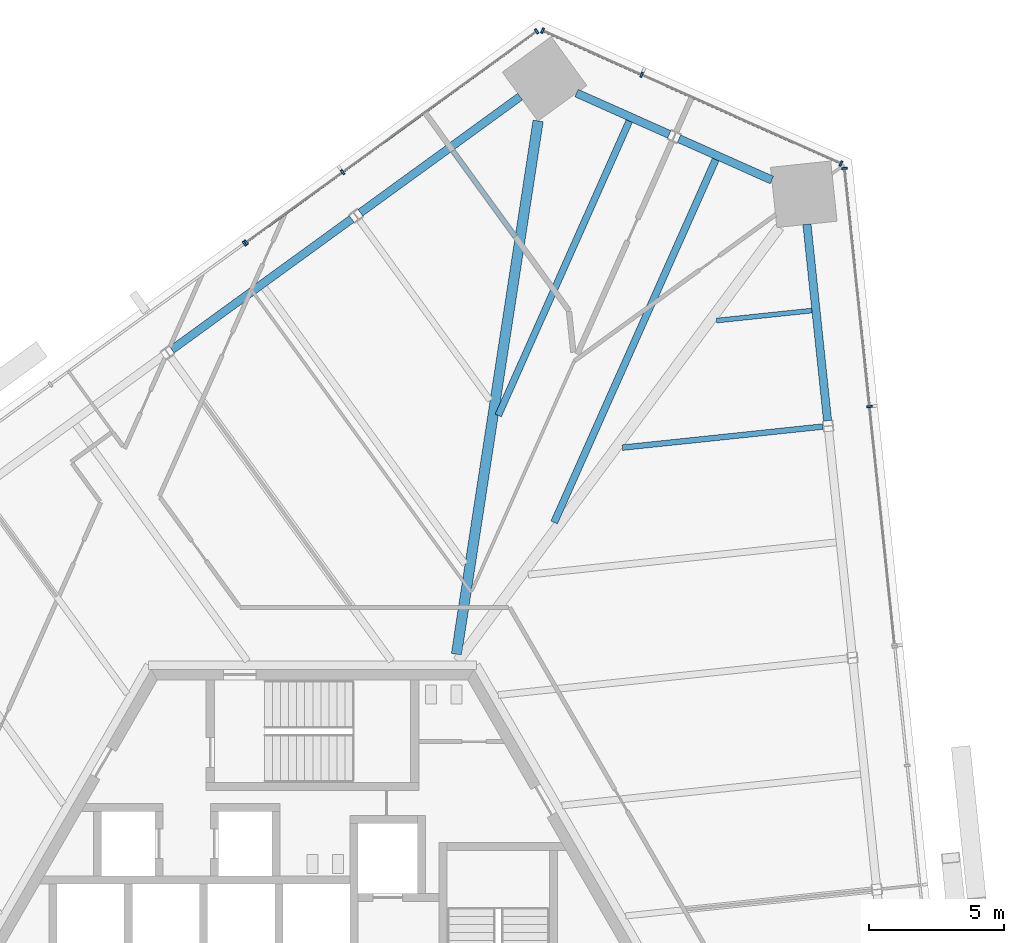
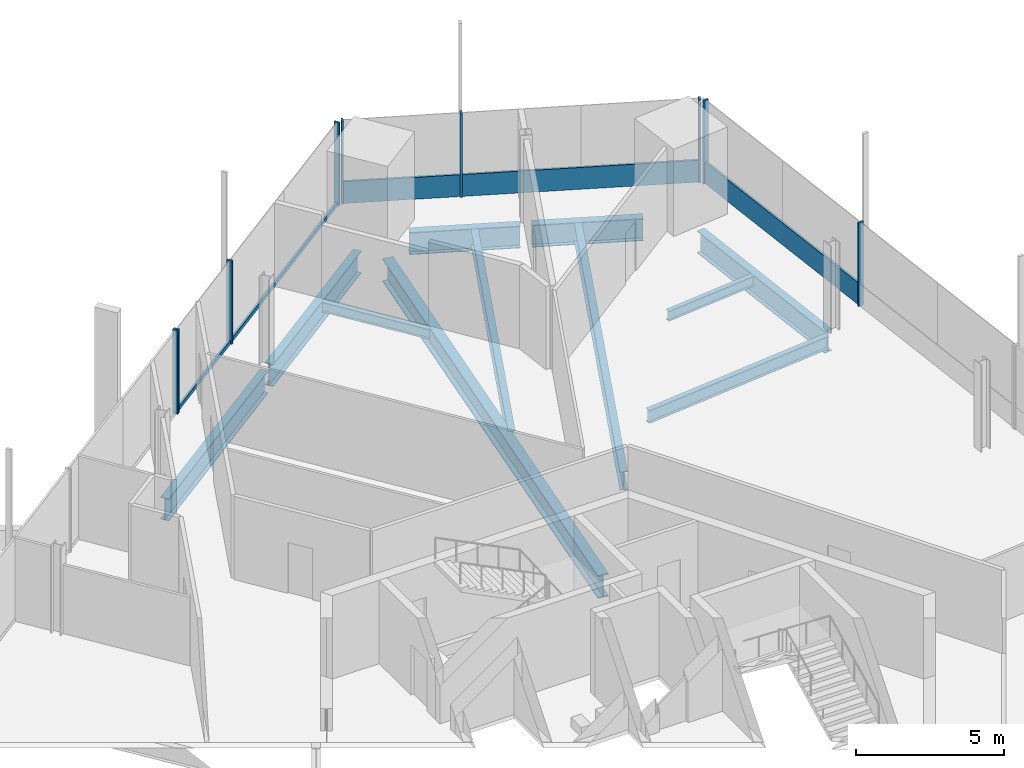
# One storey, part 9 of 21: 14 members, 11 beams, 4 elements without a shape of their own.
"""IFC4 building model written with IfcOpenShell, lengths in metres."""

from ifc_helpers import new_model, si_unit, direction, frame, origin, origin_2d, place, context, subcontext, project, spatial, rectangle, i_section, extrude, source, transform, mapped, material, material_profile, profile_set, type_object, element, aggregate, save


model = new_model("IFC4")

# Units and contexts
model_context = context("Model", 3, precision=1e-05, world=origin(), true_north=direction((0.0, 1.0)))
body_context = subcontext(model_context, "Body", "Model", "MODEL_VIEW")
ifc_project = project(units=[si_unit("LENGTHUNIT", "METRE"), si_unit("AREAUNIT", "SQUARE_METRE"), si_unit("VOLUMEUNIT", "CUBIC_METRE"), si_unit("PLANEANGLEUNIT", "RADIAN"), si_unit("MASSUNIT", "GRAM", prefix="KILO")], contexts=[model_context])

# Site, building, storey
site_placement = place(None, origin())
site = spatial("IfcSite", under=ifc_project, at=site_placement, CompositionType="ELEMENT")
building_placement = place(site_placement, origin())
building = spatial("IfcBuilding", under=site, at=building_placement, Name="Triune Harvest Tower", CompositionType="ELEMENT")
storey_placement = place(building_placement, frame((0.0, 0.0, 72.89990234375)))
storey = spatial("IfcBuildingStorey", under=building, at=storey_placement, Name="L17", CompositionType="ELEMENT", Elevation=72.89990234375)

# Beams
ifc_material_1 = material(Name="Steel ASTM A992 Gr 50", Category="steel")
ifc_material_profile_1 = material_profile(ifc_material_1, i_section(OverallWidth=0.3046875, OverallDepth=0.914306640625, WebThickness=0.0166015625, FlangeThickness=0.02587890625, at=origin_2d()), Name="W36x160")
ifc_profile_set_1 = profile_set([ifc_material_profile_1], Name="Steel ASTM A992 Gr 50")
beam_type_1 = type_object("IfcBeamType", Name="SB-1 Spandrel beam W36x160", PredefinedType="SPANDREL", material=ifc_profile_set_1)
shared_shape_1 = source(origin(), body_context, "Body", "SweptSolid", [
    extrude(i_section(OverallWidth=0.3046875, OverallDepth=0.914306640625, WebThickness=0.0166015625, FlangeThickness=0.02587890625, at=origin_2d()), origin(), (0.0, 0.0, 1.0), 7.337890625),
])
beam_1_placement = place(storey_placement, frame((7.7158203125, 31.677490234375, -0.6171875), z_axis=(-0.80902661548, -0.58777200975, 0.0), x_axis=(0.58777200975, -0.80902661548, 0.0)))
element("IfcBeam", 1, at=beam_1_placement, inside=storey, type_object=beam_type_1, Name="beam/L17/SB9", PredefinedType="SPANDREL", context=body_context, shape_type="MappedRepresentation", body=[
    mapped(shared_shape_1, transform((0.0, 0.0, 0.0), scale=1.0)),
])
shared_shape_2 = source(origin(), body_context, "Body", "SweptSolid", [
    extrude(i_section(OverallWidth=0.3046875, OverallDepth=0.914306640625, WebThickness=0.0166015625, FlangeThickness=0.02587890625, at=origin_2d()), origin(), (0.0, 0.0, 1.0), 8.263427734375),
])
beam_2_placement = place(storey_placement, frame((1.45654296875, 27.130126953125, -0.6171875), z_axis=(-0.809015786763, -0.587786914424, 0.0), x_axis=(0.587786914424, -0.809015786763, 0.0)))
element("IfcBeam", 2, at=beam_2_placement, inside=storey, type_object=beam_type_1, Name="beam/L17/SB10", PredefinedType="SPANDREL", context=body_context, shape_type="MappedRepresentation", body=[
    mapped(shared_shape_2, transform((0.0, 0.0, 0.0), scale=1.0)),
])
shared_shape_3 = source(origin(), body_context, "Body", "SweptSolid", [
    extrude(i_section(OverallWidth=0.3046875, OverallDepth=0.914306640625, WebThickness=0.0166015625, FlangeThickness=0.02587890625, at=origin_2d()), origin(), (0.0, 0.0, 1.0), 7.338134765625),
])
beam_3_placement = place(storey_placement, frame((19.145263671875, 19.632568359375, -0.6171875), z_axis=(-0.104502933908, 0.994524578281, 0.0), x_axis=(-0.994524578281, -0.104502933908, 0.0)))
element("IfcBeam", 3, at=beam_3_placement, inside=storey, type_object=beam_type_1, Name="beam/L17/SB6", PredefinedType="SPANDREL", context=body_context, shape_type="MappedRepresentation", body=[
    mapped(shared_shape_3, transform((0.0, 0.0, 0.0), scale=1.0)),
])
shared_shape_4 = source(origin(), body_context, "Body", "SweptSolid", [
    extrude(i_section(OverallWidth=0.3046875, OverallDepth=0.914306640625, WebThickness=0.0166015625, FlangeThickness=0.02587890625, at=origin_2d()), origin(), (0.0, 0.0, 1.0), 3.77490234375),
])
beam_4_placement = place(storey_placement, frame((17.073974609375, 28.577392578125, -0.6171875), z_axis=(-0.913541977346, 0.40674445986, 0.0), x_axis=(-0.40674445986, -0.913541977346, 0.0)))
element("IfcBeam", 4, at=beam_4_placement, inside=storey, type_object=beam_type_1, Name="beam/L17/SB7", PredefinedType="SPANDREL", context=body_context, shape_type="MappedRepresentation", body=[
    mapped(shared_shape_4, transform((0.0, 0.0, 0.0), scale=1.0)),
])
shared_shape_5 = source(origin(), body_context, "Body", "SweptSolid", [
    extrude(i_section(OverallWidth=0.3046875, OverallDepth=0.914306640625, WebThickness=0.0166015625, FlangeThickness=0.02587890625, at=origin_2d()), origin(), (0.0, 0.0, 1.0), 3.774658203125),
])
beam_5_placement = place(storey_placement, frame((13.260986328125, 30.275146484375, -0.6171875), z_axis=(-0.913566008399, 0.406690482182, 0.0), x_axis=(-0.406690482182, -0.913566008399, 0.0)))
element("IfcBeam", 5, at=beam_5_placement, inside=storey, type_object=beam_type_1, Name="beam/L17/SB8", PredefinedType="SPANDREL", context=body_context, shape_type="MappedRepresentation", body=[
    mapped(shared_shape_5, transform((0.0, 0.0, 0.0), scale=1.0)),
])
ifc_material_2 = material(Name="Steel ASTM A992 Gr 50", Category="steel")
ifc_material_profile_2 = material_profile(ifc_material_2, i_section(OverallWidth=0.383544921875, OverallDepth=0.9423828125, WebThickness=0.022216796875, FlangeThickness=0.039794921875, at=origin_2d()), Name="W36x232")
ifc_profile_set_2 = profile_set([ifc_material_profile_2], Name="Steel ASTM A992 Gr 50")
beam_type_2 = type_object("IfcBeamType", Name="HG-1 Hip girder W36x232", PredefinedType="BEAM", material=ifc_profile_set_2)
shared_shape_6 = source(origin(), body_context, "Body", "SweptSolid", [
    extrude(i_section(OverallWidth=0.383544921875, OverallDepth=0.9423828125, WebThickness=0.022216796875, FlangeThickness=0.039794921875, at=origin_2d()), origin(), (0.0, 0.0, 1.0), 20.0546875),
])
beam_6_placement = place(storey_placement, frame((8.38623046875, 30.774169921875, -0.631103515625), z_axis=(-0.151393010927, -0.988473649746, 0.0), x_axis=(0.988473649746, -0.151393010927, 0.0)))
element("IfcBeam", 6, at=beam_6_placement, inside=storey, type_object=beam_type_2, Name="beam/L17/HG4", PredefinedType="BEAM", context=body_context, shape_type="MappedRepresentation", body=[
    mapped(shared_shape_6, transform((0.0, 0.0, 0.0), scale=1.0)),
])
ifc_material_3 = material(Name="Steel ASTM A992 Gr 50", Category="steel")
ifc_material_profile_3 = material_profile(ifc_material_3, i_section(OverallWidth=0.180908203125, OverallDepth=0.41650390625, WebThickness=0.010986328125, FlangeThickness=0.01806640625, at=origin_2d()), Name="W16x57")
ifc_profile_set_3 = profile_set([ifc_material_profile_3], Name="Steel ASTM A992 Gr 50")
beam_type_3 = type_object("IfcBeamType", Name="JT-1 Floor joist W16x57", PredefinedType="JOIST", material=ifc_profile_set_3)
shared_shape_7 = source(origin(), body_context, "Body", "SweptSolid", [
    extrude(i_section(OverallWidth=0.180908203125, OverallDepth=0.41650390625, WebThickness=0.010986328125, FlangeThickness=0.01806640625, at=origin_2d()), origin(), (0.0, 0.0, 1.0), 3.95068359375),
])
beam_7_placement = place(storey_placement, frame((5.21142578125, 29.669677734375, -0.3681640625), z_axis=(0.587818894271, -0.808992550978, 0.0), x_axis=(0.808992550978, 0.587818894271, 0.0)))
element("IfcBeam", 7, at=beam_7_placement, inside=storey, type_object=beam_type_3, Name="beam/L17/JT14", PredefinedType="JOIST", context=body_context, shape_type="MappedRepresentation", body=[
    mapped(shared_shape_7, transform((0.0, 0.0, 0.0), scale=1.0)),
])
ifc_material_4 = material(Name="Steel ASTM A992 Gr 50", Category="steel")
ifc_material_profile_4 = material_profile(ifc_material_4, i_section(OverallWidth=0.2099609375, OverallDepth=0.535888671875, WebThickness=0.010986328125, FlangeThickness=0.017333984375, at=origin_2d()), Name="W21x68")
ifc_profile_set_4 = profile_set([ifc_material_profile_4], Name="Steel ASTM A992 Gr 50")
beam_type_4 = type_object("IfcBeamType", Name="JT-2 Floor joist W21x68", PredefinedType="JOIST", material=ifc_profile_set_4)
shared_shape_8 = source(origin(), body_context, "Body", "SweptSolid", [
    extrude(i_section(OverallWidth=0.2099609375, OverallDepth=0.535888671875, WebThickness=0.010986328125, FlangeThickness=0.017333984375, at=origin_2d()), origin(), (0.0, 0.0, 1.0), 7.491943359375),
])
beam_8_placement = place(storey_placement, frame((18.97021484375, 19.413818359375, -0.427978515625), z_axis=(-0.994520798259, -0.104538901039, 0.0), x_axis=(0.104538901039, -0.994520798259, 0.0)))
element("IfcBeam", 8, at=beam_8_placement, inside=storey, type_object=beam_type_4, Name="beam/L17/JT10", PredefinedType="JOIST", context=body_context, shape_type="MappedRepresentation", body=[
    mapped(shared_shape_8, transform((0.0, 0.0, 0.0), scale=1.0)),
])
shared_shape_9 = source(origin(), body_context, "Body", "SweptSolid", [
    extrude(i_section(OverallWidth=0.180908203125, OverallDepth=0.41650390625, WebThickness=0.010986328125, FlangeThickness=0.01806640625, at=origin_2d()), origin(), (0.0, 0.0, 1.0), 3.562255859375),
])
beam_9_placement = place(storey_placement, frame((18.56201171875, 23.725830078125, -0.3681640625), z_axis=(-0.994523089103, -0.104517105016, 0.0), x_axis=(0.104517105016, -0.994523089103, 0.0)))
element("IfcBeam", 9, at=beam_9_placement, inside=storey, type_object=beam_type_3, Name="beam/L17/JT11", PredefinedType="JOIST", context=body_context, shape_type="MappedRepresentation", body=[
    mapped(shared_shape_9, transform((0.0, 0.0, 0.0), scale=1.0)),
])
ifc_material_5 = material(Name="Steel ASTM A992 Gr 50", Category="steel")
ifc_material_profile_5 = material_profile(ifc_material_5, i_section(OverallWidth=0.2666015625, OverallDepth=0.7568359375, WebThickness=0.013916015625, FlangeThickness=0.019287109375, at=origin_2d()), Name="W30x108")
ifc_profile_set_5 = profile_set([ifc_material_profile_5], Name="Steel ASTM A992 Gr 50")
beam_type_5 = type_object("IfcBeamType", Name="JT-5 Floor joist W30x108", PredefinedType="JOIST", material=ifc_profile_set_5)
shared_shape_10 = source(origin(), body_context, "Body", "SweptSolid", [
    extrude(i_section(OverallWidth=0.2666015625, OverallDepth=0.7568359375, WebThickness=0.013916015625, FlangeThickness=0.019287109375, at=origin_2d()), origin(), (0.0, 0.0, 1.0), 14.766357421875),
])
beam_10_placement = place(storey_placement, frame((14.987060546875, 29.33984375, -0.538330078125), z_axis=(-0.406727456384, -0.913549547766, 0.0), x_axis=(0.913549547766, -0.406727456384, 0.0)))
element("IfcBeam", 10, at=beam_10_placement, inside=storey, type_object=beam_type_5, Name="beam/L17/JT12", PredefinedType="JOIST", context=body_context, shape_type="MappedRepresentation", body=[
    mapped(shared_shape_10, transform((0.0, 0.0, 0.0), scale=1.0)),
])
ifc_material_6 = material(Name="Steel ASTM A992 Gr 50", Category="steel")
ifc_material_profile_6 = material_profile(ifc_material_6, i_section(OverallWidth=0.253662109375, OverallDepth=0.683349609375, WebThickness=0.012451171875, FlangeThickness=0.01904296875, at=origin_2d()), Name="W27x94")
ifc_profile_set_6 = profile_set([ifc_material_profile_6], Name="Steel ASTM A992 Gr 50")
beam_type_6 = type_object("IfcBeamType", Name="JT-4 Floor joist W27x94", PredefinedType="JOIST", material=ifc_profile_set_6)
shared_shape_11 = source(origin(), body_context, "Body", "SweptSolid", [
    extrude(i_section(OverallWidth=0.253662109375, OverallDepth=0.683349609375, WebThickness=0.012451171875, FlangeThickness=0.01904296875, at=origin_2d()), origin(), (0.0, 0.0, 1.0), 11.977783203125),
])
beam_11_placement = place(storey_placement, frame((11.775390625, 30.769775390625, -0.50146484375), z_axis=(-0.406717086171, -0.913554164687, 0.0), x_axis=(0.913554164687, -0.406717086171, 0.0)))
element("IfcBeam", 11, at=beam_11_placement, inside=storey, type_object=beam_type_6, Name="beam/L17/JT13", PredefinedType="JOIST", context=body_context, shape_type="MappedRepresentation", body=[
    mapped(shared_shape_11, transform((0.0, 0.0, 0.0), scale=1.0)),
])

# Curtain wall, members
ifc_material_7 = material(Name="Aluminium bronze anodised", Category="aluminium")
curtain_wall_type_1 = type_object("IfcCurtainWallType", Name="CW-1 Tower stick curtain wall", PredefinedType="NOTDEFINED", material=ifc_material_7)
curtain_wall_1_placement = place(storey_placement, origin())
curtain_wall_1 = element("IfcCurtainWall", 12, at=curtain_wall_1_placement, inside=storey, type_object=curtain_wall_type_1, Name="CW-1 B2-F2 L17 run 1")
ifc_material_8 = material(Name="Aluminium bronze anodised", Category="aluminium")
ifc_material_profile_7 = material_profile(ifc_material_8, rectangle(XDim=0.090087890625, YDim=0.89990234375, at=origin_2d()), Name="TR-1 transom 90 x 900")
ifc_profile_set_7 = profile_set([ifc_material_profile_7], Name="Aluminium bronze anodised")
member_type_1 = type_object("IfcMemberType", Name="TR-1 transom 90 x 900", PredefinedType="USERDEFINED", material=ifc_profile_set_7)
shared_shape_12 = source(origin(), body_context, "Body", "SweptSolid", [
    extrude(rectangle(XDim=0.090087890625, YDim=0.89990234375, at=origin_2d()), origin(), (0.0, 0.0, 1.0), 8.0341796875),
])
member_1_placement = place(storey_placement, frame((19.609375, 29.205810546875, 0.4501953125), z_axis=(-0.913544441051, 0.40673892637, 0.0), x_axis=(-0.40673892637, -0.913544441051, 0.0)))
member_1 = element("IfcMember", 13, at=member_1_placement, type_object=member_type_1, Name="CW-1 transom B2-F2 1.1", ObjectType="TRANSOM", PredefinedType="USERDEFINED", context=body_context, shape_type="MappedRepresentation", body=[
    mapped(shared_shape_12, transform((0.0, 0.0, 0.0), scale=1.0)),
])
shared_shape_13 = source(origin(), body_context, "Body", "SweptSolid", [
    extrude(rectangle(XDim=0.090087890625, YDim=0.89990234375, at=origin_2d()), origin(), (0.0, 0.0, 1.0), 3.960693359375),
])
member_2_placement = place(storey_placement, frame((12.201171875, 32.504150390625, 0.4501953125), z_axis=(-0.913562276019, 0.406698866282, 0.0), x_axis=(-0.406698866282, -0.913562276019, 0.0)))
member_2 = element("IfcMember", 14, at=member_2_placement, type_object=member_type_1, Name="CW-1 transom B2-F2 1.2", ObjectType="TRANSOM", PredefinedType="USERDEFINED", context=body_context, shape_type="MappedRepresentation", body=[
    mapped(shared_shape_13, transform((0.0, 0.0, 0.0), scale=1.0)),
])

# Curtain wall, member
ifc_material_9 = material(Name="Aluminium bronze anodised", Category="aluminium")
curtain_wall_type_2 = type_object("IfcCurtainWallType", Name="CW-6 Balcony window wall", PredefinedType="NOTDEFINED", material=ifc_material_9)
curtain_wall_2_placement = place(storey_placement, origin())
curtain_wall_2 = element("IfcCurtainWall", 15, at=curtain_wall_2_placement, inside=storey, type_object=curtain_wall_type_2, Name="CW-6 B2-F3 L17 run 1")
ifc_material_10 = material(Name="Aluminium bronze anodised", Category="aluminium")
ifc_material_profile_8 = material_profile(ifc_material_10, rectangle(XDim=0.090087890625, YDim=0.14990234375, at=origin_2d()), Name="TR-6 transom 90 x 150")
ifc_profile_set_8 = profile_set([ifc_material_profile_8], Name="Aluminium bronze anodised")
member_type_2 = type_object("IfcMemberType", Name="TR-6 transom 90 x 150", PredefinedType="USERDEFINED", material=ifc_profile_set_8)
shared_shape_14 = source(origin(), body_context, "Body", "SweptSolid", [
    extrude(rectangle(XDim=0.090087890625, YDim=0.14990234375, at=origin_2d()), origin(), (0.0, 0.0, 1.0), 8.836181640625),
])
member_3_placement = place(storey_placement, frame((8.298583984375, 34.085205078125, 0.0751953125), z_axis=(-0.80901557229, -0.58778720962, 0.0), x_axis=(0.58778720962, -0.80901557229, 0.0)))
member_3 = element("IfcMember", 16, at=member_3_placement, type_object=member_type_2, Name="CW-6 transom B2-F3 1.1", ObjectType="TRANSOM", PredefinedType="USERDEFINED", context=body_context, shape_type="MappedRepresentation", body=[
    mapped(shared_shape_14, transform((0.0, 0.0, 0.0), scale=1.0)),
])

# Curtain wall, members
curtain_wall_3_placement = place(storey_placement, origin())
curtain_wall_3 = element("IfcCurtainWall", 17, at=curtain_wall_3_placement, inside=storey, type_object=curtain_wall_type_1, Name="CW-1 B2-F1 L17 run 2001")
shared_shape_15 = source(origin(), body_context, "Body", "SweptSolid", [
    extrude(rectangle(XDim=0.090087890625, YDim=0.89990234375, at=origin_2d()), origin(), (0.0, 0.0, 1.0), 8.828857421875),
])
member_4_placement = place(storey_placement, frame((20.7001953125, 20.194091796875, 0.4501953125), z_axis=(-0.104526444227, 0.994522107576, 0.0), x_axis=(-0.994522107576, -0.104526444227, 0.0)))
member_4 = element("IfcMember", 18, at=member_4_placement, type_object=member_type_1, Name="CW-1 transom B2-F1 2001.2", ObjectType="TRANSOM", PredefinedType="USERDEFINED", context=body_context, shape_type="MappedRepresentation", body=[
    mapped(shared_shape_15, transform((0.0, 0.0, 0.0), scale=1.0)),
])
ifc_material_11 = material(Name="Aluminium bronze anodised", Category="aluminium")
ifc_material_profile_9 = material_profile(ifc_material_11, rectangle(XDim=0.199951171875, YDim=0.074951171875, at=origin_2d()), Name="MU-1 mullion 75 x 200")
ifc_profile_set_9 = profile_set([ifc_material_profile_9], Name="Aluminium bronze anodised")
member_type_3 = type_object("IfcMemberType", Name="MU-1 mullion 75 x 200", PredefinedType="MULLION", material=ifc_profile_set_9)
shared_shape_16 = source(origin(), body_context, "Body", "SweptSolid", [
    extrude(rectangle(XDim=0.199951171875, YDim=0.074951171875, at=origin_2d()), origin(), (0.0, 0.0, 1.0), 3.440185546875),
])
member_5_placement = place(storey_placement, frame((20.7041015625, 20.156982421875, 0.0), z_axis=(0.0, 0.0, 1.0), x_axis=(-0.994522026204, -0.104527218444, 0.0)))
member_5 = element("IfcMember", 19, at=member_5_placement, type_object=member_type_3, Name="CW-1 mullion B2-F1 2001.3", PredefinedType="MULLION", context=body_context, shape_type="MappedRepresentation", body=[
    mapped(shared_shape_16, transform((0.0, 0.0, 0.0), scale=1.0)),
])
member_6_placement = place(storey_placement, frame((19.7734375, 29.01171875, 0.0), z_axis=(0.0, 0.0, 1.0), x_axis=(-0.994522026204, -0.104527218444, 0.0)))
member_6 = element("IfcMember", 20, at=member_6_placement, type_object=member_type_3, Name="CW-1 mullion B2-F1 2001.5", PredefinedType="MULLION", context=body_context, shape_type="MappedRepresentation", body=[
    mapped(shared_shape_16, transform((0.0, 0.0, 0.0), scale=1.0)),
])
aggregate(curtain_wall_3, [member_5, member_6, member_4])

# Member
member_7_placement = place(storey_placement, frame((19.643798828125, 29.1904296875, 0.0), z_axis=(0.0, 0.0, 1.0), x_axis=(-0.406733978386, -0.913546644034, 0.0)))
member_7 = element("IfcMember", 21, at=member_7_placement, type_object=member_type_3, Name="CW-1 mullion B2-F2 1.1", PredefinedType="MULLION", context=body_context, shape_type="MappedRepresentation", body=[
    mapped(shared_shape_16, transform((0.0, 0.0, 0.0), scale=1.0)),
])

member_8_placement = place(storey_placement, frame((12.2353515625, 32.48876953125, 0.0), z_axis=(0.0, 0.0, 1.0), x_axis=(-0.406733978386, -0.913546644034, 0.0)))
member_8 = element("IfcMember", 22, at=member_8_placement, type_object=member_type_3, Name="CW-1 mullion B2-F2 1.3", PredefinedType="MULLION", context=body_context, shape_type="MappedRepresentation", body=[
    mapped(shared_shape_16, transform((0.0, 0.0, 0.0), scale=1.0)),
])

member_9_placement = place(storey_placement, frame((8.548583984375, 34.13037109375, 0.0), z_axis=(0.0, 0.0, 1.0), x_axis=(-0.406733978386, -0.913546644034, 0.0)))
member_9 = element("IfcMember", 23, at=member_9_placement, type_object=member_type_3, Name="CW-1 mullion B2-F2 1.4", PredefinedType="MULLION", context=body_context, shape_type="MappedRepresentation", body=[
    mapped(shared_shape_16, transform((0.0, 0.0, 0.0), scale=1.0)),
])

aggregate(curtain_wall_1, [member_7, member_8, member_9, member_1, member_2])

ifc_material_12 = material(Name="Aluminium bronze anodised", Category="aluminium")
ifc_material_profile_10 = material_profile(ifc_material_12, rectangle(XDim=0.199951171875, YDim=0.074951171875, at=origin_2d()), Name="MU-6 mullion 75 x 200")
ifc_profile_set_10 = profile_set([ifc_material_profile_10], Name="Aluminium bronze anodised")
member_type_4 = type_object("IfcMemberType", Name="MU-6 mullion 75 x 200", PredefinedType="MULLION", material=ifc_profile_set_10)
shared_shape_17 = source(origin(), body_context, "Body", "SweptSolid", [
    extrude(rectangle(XDim=0.199951171875, YDim=0.074951171875, at=origin_2d()), origin(), (0.0, 0.0, 1.0), 3.440185546875),
])
member_10_placement = place(storey_placement, frame((8.328857421875, 34.107177734375, 0.0), z_axis=(0.0, 0.0, 1.0), x_axis=(0.587784851425, -0.809017285622, 0.0)))
member_10 = element("IfcMember", 24, at=member_10_placement, type_object=member_type_4, Name="CW-6 mullion B2-F3 1.1", PredefinedType="MULLION", context=body_context, shape_type="MappedRepresentation", body=[
    mapped(shared_shape_17, transform((0.0, 0.0, 0.0), scale=1.0)),
])

member_11_placement = place(storey_placement, frame((1.11962890625, 28.869384765625, 0.0), z_axis=(0.0, 0.0, 1.0), x_axis=(0.587784851425, -0.809017285622, 0.0)))
member_11 = element("IfcMember", 25, at=member_11_placement, type_object=member_type_4, Name="CW-6 mullion B2-F3 1.3", PredefinedType="MULLION", context=body_context, shape_type="MappedRepresentation", body=[
    mapped(shared_shape_17, transform((0.0, 0.0, 0.0), scale=1.0)),
])

member_12_placement = place(storey_placement, frame((-2.469970703125, 26.261474609375, 0.0), z_axis=(0.0, 0.0, 1.0), x_axis=(0.587784851425, -0.809017285622, 0.0)))
member_12 = element("IfcMember", 26, at=member_12_placement, type_object=member_type_4, Name="CW-6 mullion B2-F3 1.4", PredefinedType="MULLION", context=body_context, shape_type="MappedRepresentation", body=[
    mapped(shared_shape_17, transform((0.0, 0.0, 0.0), scale=1.0)),
])

# Curtain wall, member
ifc_material_13 = material(Name="Aluminium bronze anodised", Category="aluminium")
curtain_wall_type_3 = type_object("IfcCurtainWallType", Name="CW-10 Balcony window wall with insulated spandrel infill", PredefinedType="NOTDEFINED", material=ifc_material_13)
curtain_wall_4_placement = place(storey_placement, origin())
curtain_wall_4 = element("IfcCurtainWall", 27, at=curtain_wall_4_placement, inside=storey, type_object=curtain_wall_type_3, Name="CW-10 B2-F3 L17 run 1001")
member_13_placement = place(storey_placement, frame((-2.530517578125, 26.217529296875, 0.0), z_axis=(0.0, 0.0, 1.0), x_axis=(0.58778545082, -0.809016850136, 0.0)))
member_13 = element("IfcMember", 28, at=member_13_placement, type_object=member_type_4, Name="CW-10 mullion B2-F3 1001.1", PredefinedType="MULLION", context=body_context, shape_type="MappedRepresentation", body=[
    mapped(shared_shape_17, transform((0.0, 0.0, 0.0), scale=1.0)),
])
aggregate(curtain_wall_4, [member_13])

# Member
shared_shape_18 = source(origin(), body_context, "Body", "SweptSolid", [
    extrude(rectangle(XDim=0.090087890625, YDim=0.14990234375, at=origin_2d()), origin(), (0.0, 0.0, 1.0), 4.36181640625),
])
member_14_placement = place(storey_placement, frame((1.08935546875, 28.847412109375, 0.0751953125), z_axis=(-0.809028857215, -0.587768924147, 0.0), x_axis=(0.587768924147, -0.809028857215, 0.0)))
member_14 = element("IfcMember", 29, at=member_14_placement, type_object=member_type_2, Name="CW-6 transom B2-F3 1.2", ObjectType="TRANSOM", PredefinedType="USERDEFINED", context=body_context, shape_type="MappedRepresentation", body=[
    mapped(shared_shape_18, transform((0.0, 0.0, 0.0), scale=1.0)),
])

aggregate(curtain_wall_2, [member_10, member_11, member_12, member_3, member_14])

save(model, "model.ifc")
